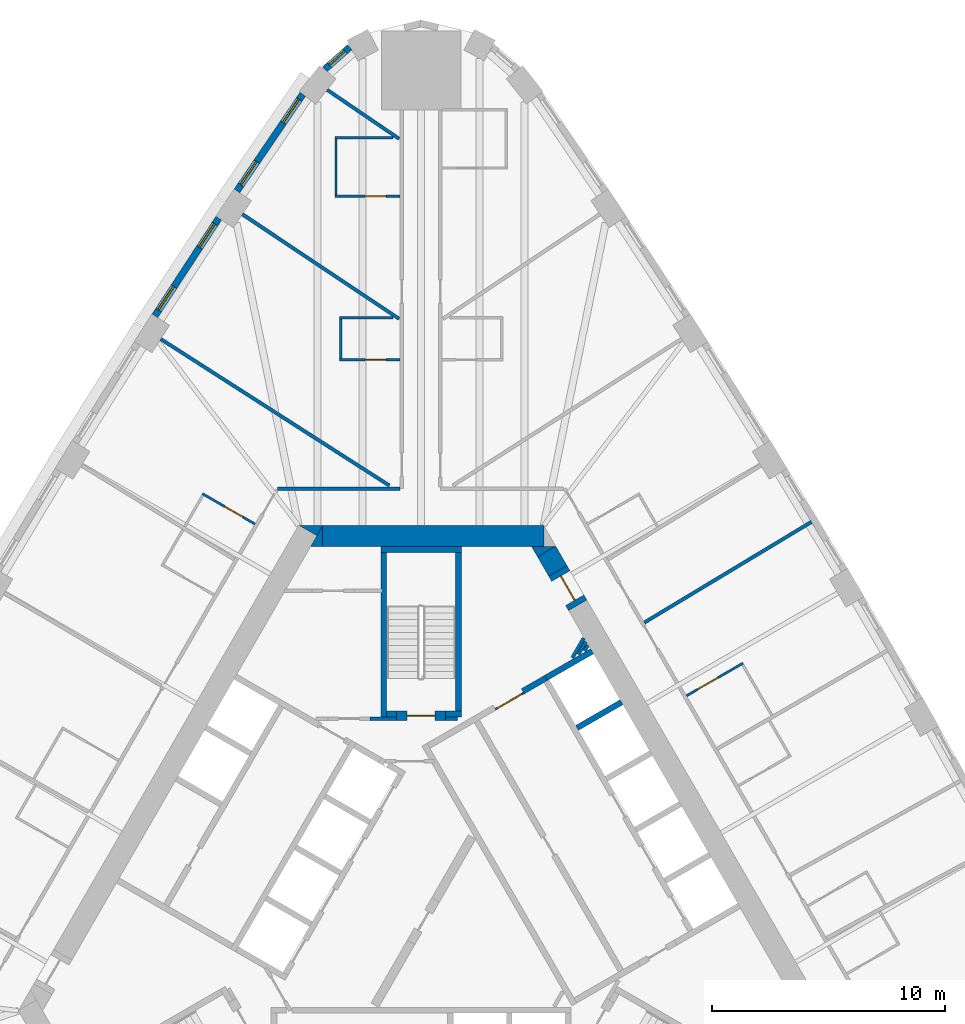
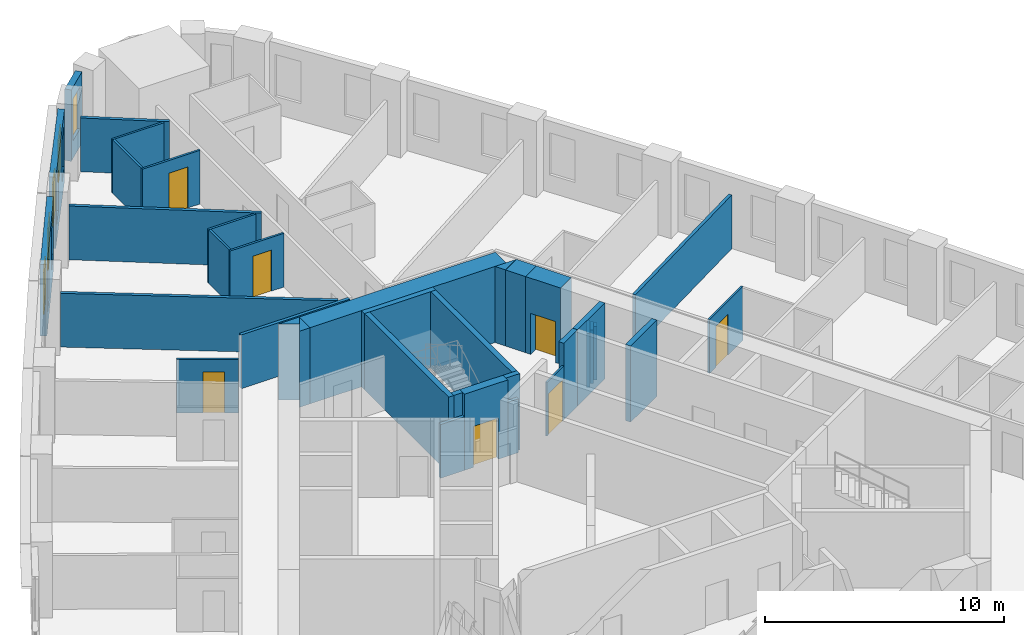
# One storey, part 10 of 13: 37 walls, 7 doors, 5 windows, 12 openings.
"""IFC4 building model written with IfcOpenShell, lengths in metres."""

from ifc_helpers import new_model, si_unit, direction, frame, frame_2d, origin, place, context, subcontext, project, spatial, polyline, rectangle, outline, extrude, material, layer, layer_set, type_object, element, fill, save


model = new_model("IFC4")

# Units and contexts
model_context = context("Model", 3, precision=1e-05, world=origin(), true_north=direction((0.0, 1.0)))
body_context = subcontext(model_context, "Body", "Model", "MODEL_VIEW")
ifc_project = project(units=[si_unit("LENGTHUNIT", "METRE"), si_unit("AREAUNIT", "SQUARE_METRE"), si_unit("VOLUMEUNIT", "CUBIC_METRE"), si_unit("PLANEANGLEUNIT", "RADIAN"), si_unit("MASSUNIT", "GRAM", prefix="KILO")], contexts=[model_context])

# Site, building, storey
site_placement = place(None, origin())
site = spatial("IfcSite", under=ifc_project, at=site_placement, CompositionType="ELEMENT")
building_placement = place(site_placement, origin())
building = spatial("IfcBuilding", under=site, at=building_placement, Name="Mestral Congress Tower", CompositionType="ELEMENT")
storey_placement = place(building_placement, frame((0.0, 0.0, 35.39990234375)))
storey = spatial("IfcBuildingStorey", under=building, at=storey_placement, Name="L07", CompositionType="ELEMENT", Elevation=35.39990234375)

# Walls
ifc_material_1 = material(Name="Fire-rated board partition")
ifc_layer_1 = layer(ifc_material_1, 0.14990234375)
ifc_layer_set_1 = layer_set([ifc_layer_1], Name="Fire-rated board partition")
wall_type_1 = type_object("IfcWallType", Name="Core partition 150", PredefinedType="PARTITIONING", material=ifc_layer_set_1)
wall_1_placement = place(storey_placement, frame((-2.1962890625, 8.62548828125, 0.0), z_axis=(0.0, 0.0, 1.0), x_axis=(1.0, 0.0, 0.0)))
element("IfcWall", 1, at=wall_1_placement, inside=storey, type_object=wall_type_1, Name="L07 core wall", PredefinedType="PARTITIONING", context=body_context, shape_type="SweptSolid", body=[
    extrude(rectangle(XDim=1.146240234375, YDim=0.14990234375, at=frame_2d((0.5732421875, 0.0))), origin(), (0.0, 0.0, 1.0), 2.75),
])
wall_2_placement = place(storey_placement, frame((1.050048828125, 8.62548828125, 0.0), z_axis=(0.0, 0.0, 1.0), x_axis=(1.0, 0.0, 0.0)))
element("IfcWall", 2, at=wall_2_placement, inside=storey, type_object=wall_type_1, Name="L07 core wall", PredefinedType="PARTITIONING", context=body_context, shape_type="SweptSolid", body=[
    extrude(rectangle(XDim=0.513916015625, YDim=0.14990234375, at=frame_2d((0.2568359375, 0.0))), origin(), (0.0, 0.0, 1.0), 2.75),
])
wall_3_placement = place(storey_placement, frame((6.481689453125, 11.224609375, 0.0), z_axis=(0.0, 0.0, 1.0), x_axis=(0.5001061818, 0.865964091014, 0.0)))
element("IfcWall", 3, at=wall_3_placement, inside=storey, type_object=wall_type_1, Name="L07 core wall", PredefinedType="PARTITIONING", context=body_context, shape_type="SweptSolid", body=[
    extrude(rectangle(XDim=0.972900390625, YDim=0.14990234375, at=frame_2d((0.486328125, 0.0))), origin(), (0.0, 0.0, 1.0), 2.75),
])
wall_4_placement = place(storey_placement, frame((6.74169921875, 11.374755859375, 0.0), z_axis=(0.0, 0.0, 1.0), x_axis=(0.499744951064, 0.86617260629, 0.0)))
element("IfcWall", 4, at=wall_4_placement, inside=storey, type_object=wall_type_1, Name="L07 core wall", PredefinedType="PARTITIONING", context=body_context, shape_type="SweptSolid", body=[
    extrude(rectangle(XDim=0.626220703125, YDim=0.14990234375, at=frame_2d((0.31298828125, 0.0))), origin(), (0.0, 0.0, 1.0), 2.75),
])
wall_5_placement = place(storey_placement, frame((7.00146484375, 11.524658203125, 0.0), z_axis=(0.0, 0.0, 1.0), x_axis=(0.499797962495, 0.866142018774, 0.0)))
element("IfcWall", 5, at=wall_5_placement, inside=storey, type_object=wall_type_1, Name="L07 core wall", PredefinedType="PARTITIONING", context=body_context, shape_type="SweptSolid", body=[
    extrude(rectangle(XDim=0.27978515625, YDim=0.14990234375, at=frame_2d((0.139892578125, 0.0))), origin(), (0.0, 0.0, 1.0), 2.75),
])

# Wall, opening, door
ifc_layer_2 = layer(ifc_material_1, 0.090087890625)
ifc_layer_set_2 = layer_set([ifc_layer_2], Name="Fire-rated board partition")
wall_type_2 = type_object("IfcWallType", Name="Core partition 150 door-wall 90", PredefinedType="PARTITIONING", material=ifc_layer_set_2)
wall_6_placement = place(storey_placement, frame((3.182861328125, 9.02001953125, 0.0), z_axis=(0.0, 0.0, 1.0), x_axis=(0.866034573852, 0.49998411664, 0.0)))
wall_6 = element("IfcWall", 6, at=wall_6_placement, inside=storey, type_object=wall_type_2, Name="L07 door wall", PredefinedType="PARTITIONING", context=body_context, shape_type="SweptSolid", body=[
    extrude(rectangle(XDim=1.39990234375, YDim=0.090087890625, at=frame_2d((0.699951171875, 0.0))), origin(), (0.0, 0.0, 1.0), 2.75),
])
opening_1_placement = place(wall_6_placement, frame((0.10009765625, 0.0, 0.0)))
opening_1 = element("IfcOpeningElement", 7, at=opening_1_placement, cuts=wall_6, Name="Opening LB1-WL2", PredefinedType="OPENING", context=body_context, shape_type="SweptSolid", body=[
    extrude(rectangle(XDim=1.199951171875, YDim=2.10009765625, at=frame_2d((0.60009765625, 1.050048828125))), frame((0.0, 0.054931640625, 0.0), z_axis=(0.0, -1.0, 0.0), x_axis=(1.0, 0.0, 0.0)), (0.0, 0.0, 1.0), 0.110107421875),
])
ifc_material_2 = material(Name="Fire-rated steel door set", Category="steel")
door_type_1 = type_object("IfcDoorType", Name="Core door LB 1200x2100", OperationType="SINGLE_SWING_LEFT", PredefinedType="DOOR", material=ifc_material_2)
door_1_placement = place(opening_1_placement, origin())
door_1 = element("IfcDoor", 8, at=door_1_placement, inside=storey, type_object=door_type_1, Name="Door LB1-WL2", OperationType="SINGLE_SWING_LEFT", OverallHeight=2.10009765625, OverallWidth=1.199951171875, PredefinedType="DOOR", context=body_context, shape_type="SweptSolid", body=[
    extrude(rectangle(XDim=1.199951171875, YDim=2.10009765625, at=frame_2d((0.60009765625, 1.050048828125))), frame((0.0, 0.02490234375, 0.0), z_axis=(0.0, -1.0, 0.0), x_axis=(1.0, 0.0, 0.0)), (0.0, 0.0, 1.0), 0.050048828125),
])
fill(opening_1, door_1)

# Walls
ifc_material_3 = material(Name="Concrete C60/75", Category="concrete")
ifc_layer_3 = layer(ifc_material_3, 0.89990234375)
ifc_layer_set_3 = layer_set([ifc_layer_3], Name="Concrete C60/75")
wall_type_3 = type_object("IfcWallType", Name="Core wall RC 900", PredefinedType="SOLIDWALL", material=ifc_layer_set_3)
placement = place(storey_placement, origin())
element("IfcWall", 9, at=placement, inside=storey, type_object=wall_type_3, Name="L07 core wall", PredefinedType="SOLIDWALL", context=body_context, shape_type="SweptSolid", body=[
    extrude(outline(polyline([(-4.214599609375, 16.89990234375), (-4.46875, 16.460205078125), (-5.230712890625, 16.89990234375), (-4.214599609375, 16.89990234375)])), origin(), (0.0, 0.0, 1.0), 3.900146484375),
])
wall_8_placement = place(storey_placement, frame((-4.224365234375, 16.449951171875, 0.0), z_axis=(0.0, 0.0, 1.0), x_axis=(1.0, 0.0, 0.0)))
element("IfcWall", 10, at=wall_8_placement, inside=storey, type_object=wall_type_3, Name="L07 core wall", PredefinedType="SOLIDWALL", context=body_context, shape_type="SweptSolid", body=[
    extrude(rectangle(XDim=9.48779296875, YDim=0.89990234375, at=frame_2d((4.743896484375, 0.0))), origin(), (0.0, 0.0, 1.0), 3.900146484375),
])
element("IfcWall", 11, at=placement, inside=storey, type_object=wall_type_3, Name="L07 core wall", PredefinedType="SOLIDWALL", context=body_context, shape_type="SweptSolid", body=[
    extrude(outline(polyline([(-4.734375, 16.0), (-4.226318359375, 16.8798828125), (-4.226318359375, 16.0), (-4.734375, 16.0)])), origin(), (0.0, 0.0, 1.0), 3.900146484375),
])
wall_10_placement = place(storey_placement, frame((5.86083984375, 14.94873046875, 0.0), z_axis=(0.0, 0.0, 1.0), x_axis=(-0.50011719232, 0.865957732194, 0.0)))
element("IfcWall", 12, at=wall_10_placement, inside=storey, type_object=wall_type_3, Name="L07 core wall", PredefinedType="SOLIDWALL", context=body_context, shape_type="SweptSolid", body=[
    extrude(rectangle(XDim=0.963623046875, YDim=0.89990234375, at=frame_2d((0.48193359375, 0.0))), origin(), (0.0, 0.0, 1.0), 3.900146484375),
])
element("IfcWall", 13, at=placement, inside=storey, type_object=wall_type_3, Name="L07 core wall", PredefinedType="SOLIDWALL", context=body_context, shape_type="SweptSolid", body=[
    extrude(outline(polyline([(4.734375, 16.0), (5.75048828125, 16.0), (4.98828125, 15.56005859375), (4.734375, 16.0)])), origin(), (0.0, 0.0, 1.0), 3.900146484375),
])

# Wall, opening, door
wall_12_placement = place(storey_placement, frame((5.86083984375, 14.948486328125, 0.0), z_axis=(0.0, 0.0, 1.0), x_axis=(0.500062241894, -0.865989465428, 0.0)))
wall_12 = element("IfcWall", 14, at=wall_12_placement, inside=storey, type_object=wall_type_3, Name="L07 door wall", PredefinedType="SOLIDWALL", context=body_context, shape_type="SweptSolid", body=[
    extrude(rectangle(XDim=1.699951171875, YDim=0.89990234375, at=frame_2d((0.85009765625, 0.0))), origin(), (0.0, 0.0, 1.0), 3.900146484375),
])
opening_2_placement = place(wall_12_placement, frame((0.25, 0.0, 0.0)))
opening_2 = element("IfcOpeningElement", 15, at=opening_2_placement, cuts=wall_12, Name="Opening XD2", PredefinedType="OPENING", context=body_context, shape_type="SweptSolid", body=[
    extrude(rectangle(XDim=1.199951171875, YDim=2.10009765625, at=frame_2d((0.60009765625, 1.050048828125))), frame((0.0, 0.4599609375, 0.0), z_axis=(0.0, -1.0, 0.0), x_axis=(1.0, 0.0, 0.0)), (0.0, 0.0, 1.0), 0.919921875),
])
door_type_2 = type_object("IfcDoorType", Name="Core door XD 1200x2100", OperationType="SINGLE_SWING_LEFT", PredefinedType="DOOR", material=ifc_material_2)
door_2_placement = place(opening_2_placement, origin())
door_2 = element("IfcDoor", 16, at=door_2_placement, inside=storey, type_object=door_type_2, Name="Door XD2", OperationType="SINGLE_SWING_LEFT", OverallHeight=2.10009765625, OverallWidth=1.199951171875, PredefinedType="DOOR", context=body_context, shape_type="SweptSolid", body=[
    extrude(rectangle(XDim=1.199951171875, YDim=2.10009765625, at=frame_2d((0.60009765625, 1.050048828125))), frame((0.0, 0.02490234375, 0.0), z_axis=(0.0, -1.0, 0.0), x_axis=(1.0, 0.0, 0.0)), (0.0, 0.0, 1.0), 0.050048828125),
])
fill(opening_2, door_2)

# Wall, opening, window
ifc_material_4 = material(Name="Precast concrete C40/50 with limestone facing", Category="masonry")
ifc_layer_4 = layer(ifc_material_4, 0.2900390625)
ifc_layer_set_4 = layer_set([ifc_layer_4], Name="Precast concrete C40/50 with limestone facing")
wall_type_4 = type_object("IfcWallType", Name="Facade stone wall 290", PredefinedType="SOLIDWALL", material=ifc_layer_set_4)
wall_13_placement = place(storey_placement, frame((-3.064453125, 37.395263671875, 0.0), z_axis=(0.0, 0.0, 1.0), x_axis=(-0.749812680302, -0.661650167731, 0.0)))
wall_13 = element("IfcWall", 17, at=wall_13_placement, inside=storey, type_object=wall_type_4, Name="Facade wall K1-3", PredefinedType="SOLIDWALL", context=body_context, shape_type="SweptSolid", body=[
    extrude(rectangle(XDim=1.4150390625, YDim=0.2900390625, at=frame_2d((0.70751953125, 0.0))), origin(), (0.0, 0.0, 1.0), 3.650146484375),
])
opening_3_placement = place(wall_13_placement, frame((0.257568359375, 0.0, 0.89990234375)))
opening_3 = element("IfcOpeningElement", 18, at=opening_3_placement, cuts=wall_13, Name="Opening W3", PredefinedType="OPENING", context=body_context, shape_type="SweptSolid", body=[
    extrude(rectangle(XDim=0.89990234375, YDim=2.14990234375, at=frame_2d((0.449951171875, 1.074951171875))), frame((0.0, 0.155029296875, 0.0), z_axis=(0.0, -1.0, 0.0), x_axis=(1.0, 0.0, 0.0)), (0.0, 0.0, 1.0), 0.31005859375),
])
ifc_material_5 = material(Name="Clear low-emissivity double glazing", Category="glass")
window_type_1 = type_object("IfcWindowType", Name="Facade punched window 900 x 2150 sill 900", PartitioningType="SINGLE_PANEL", PredefinedType="WINDOW", material=ifc_material_5)
window_1_placement = place(opening_3_placement, origin())
window_1 = element("IfcWindow", 19, at=window_1_placement, inside=storey, type_object=window_type_1, Name="Window K1-3", OverallHeight=2.14990234375, OverallWidth=0.89990234375, PartitioningType="SINGLE_PANEL", PredefinedType="WINDOW", context=body_context, shape_type="SweptSolid", body=[
    extrude(rectangle(XDim=0.89990234375, YDim=2.14990234375, at=frame_2d((0.449951171875, 1.074951171875))), frame((0.0, 0.01513671875, 0.0), z_axis=(0.0, -1.0, 0.0), x_axis=(1.0, 0.0, 0.0)), (0.0, 0.0, 1.0), 0.06005859375),
])
fill(opening_3, window_1)

# Wall, openings, windows
wall_14_placement = place(storey_placement, frame((-5.078369140625, 35.37646484375, 0.0), z_axis=(0.0, 0.0, 1.0), x_axis=(-0.562610153679, -0.826722332454, 0.0)))
wall_14 = element("IfcWall", 20, at=wall_14_placement, inside=storey, type_object=wall_type_4, Name="Facade wall F2-00", PredefinedType="SOLIDWALL", context=body_context, shape_type="SweptSolid", body=[
    extrude(rectangle(XDim=5.005615234375, YDim=0.2900390625, at=frame_2d((2.5029296875, 0.0))), origin(), (0.0, 0.0, 1.0), 3.650146484375),
])
opening_4_placement = place(wall_14_placement, frame((0.26513671875, 0.0, 0.89990234375)))
opening_4 = element("IfcOpeningElement", 21, at=opening_4_placement, cuts=wall_14, Name="Opening W1", PredefinedType="OPENING", context=body_context, shape_type="SweptSolid", body=[
    extrude(rectangle(XDim=1.199951171875, YDim=2.14990234375, at=frame_2d((0.60009765625, 1.074951171875))), frame((0.0, 0.155029296875, 0.0), z_axis=(0.0, -1.0, 0.0), x_axis=(1.0, 0.0, 0.0)), (0.0, 0.0, 1.0), 0.31005859375),
])
opening_5_placement = place(wall_14_placement, frame((3.495361328125, 0.0, 0.89990234375)))
opening_5 = element("IfcOpeningElement", 22, at=opening_5_placement, cuts=wall_14, Name="Opening W1", PredefinedType="OPENING", context=body_context, shape_type="SweptSolid", body=[
    extrude(rectangle(XDim=1.199951171875, YDim=2.14990234375, at=frame_2d((0.60009765625, 1.074951171875))), frame((0.0, 0.155029296875, 0.0), z_axis=(0.0, -1.0, 0.0), x_axis=(1.0, 0.0, 0.0)), (0.0, 0.0, 1.0), 0.31005859375),
])
window_type_2 = type_object("IfcWindowType", Name="Facade punched window 1200 x 2150 sill 900", PartitioningType="DOUBLE_PANEL_VERTICAL", PredefinedType="WINDOW", material=ifc_material_5)
window_2_placement = place(opening_4_placement, origin())
window_2 = element("IfcWindow", 23, at=window_2_placement, inside=storey, type_object=window_type_2, Name="Window F2-00a", OverallHeight=2.14990234375, OverallWidth=1.199951171875, PartitioningType="DOUBLE_PANEL_VERTICAL", PredefinedType="WINDOW", context=body_context, shape_type="SweptSolid", body=[
    extrude(rectangle(XDim=1.199951171875, YDim=2.14990234375, at=frame_2d((0.60009765625, 1.074951171875))), frame((0.0, 0.01513671875, 0.0), z_axis=(0.0, -1.0, 0.0), x_axis=(1.0, 0.0, 0.0)), (0.0, 0.0, 1.0), 0.06005859375),
])
fill(opening_4, window_2)
window_3_placement = place(opening_5_placement, origin())
window_3 = element("IfcWindow", 24, at=window_3_placement, inside=storey, type_object=window_type_2, Name="Window F2-00b", OverallHeight=2.14990234375, OverallWidth=1.199951171875, PartitioningType="DOUBLE_PANEL_VERTICAL", PredefinedType="WINDOW", context=body_context, shape_type="SweptSolid", body=[
    extrude(rectangle(XDim=1.199951171875, YDim=2.14990234375, at=frame_2d((0.60009765625, 1.074951171875))), frame((0.0, 0.01513671875, 0.0), z_axis=(0.0, -1.0, 0.0), x_axis=(1.0, 0.0, 0.0)), (0.0, 0.0, 1.0), 0.06005859375),
])
fill(opening_5, window_3)

wall_15_placement = place(storey_placement, frame((-8.675537109375, 30.067626953125, 0.0), z_axis=(0.0, 0.0, 1.0), x_axis=(-0.547204617628, -0.836998868845, 0.0)))
wall_15 = element("IfcWall", 25, at=wall_15_placement, inside=storey, type_object=wall_type_4, Name="Facade wall F2-01", PredefinedType="SOLIDWALL", context=body_context, shape_type="SweptSolid", body=[
    extrude(rectangle(XDim=4.998291015625, YDim=0.2900390625, at=frame_2d((2.4990234375, 0.0))), origin(), (0.0, 0.0, 1.0), 3.650146484375),
])
opening_6_placement = place(wall_15_placement, frame((0.297119140625, 0.0, 0.89990234375)))
opening_6 = element("IfcOpeningElement", 26, at=opening_6_placement, cuts=wall_15, Name="Opening W1", PredefinedType="OPENING", context=body_context, shape_type="SweptSolid", body=[
    extrude(rectangle(XDim=1.199951171875, YDim=2.14990234375, at=frame_2d((0.60009765625, 1.074951171875))), frame((0.0, 0.155029296875, 0.0), z_axis=(0.0, -1.0, 0.0), x_axis=(1.0, 0.0, 0.0)), (0.0, 0.0, 1.0), 0.31005859375),
])
opening_7_placement = place(wall_15_placement, frame((3.501220703125, 0.0, 0.89990234375)))
opening_7 = element("IfcOpeningElement", 27, at=opening_7_placement, cuts=wall_15, Name="Opening W1", PredefinedType="OPENING", context=body_context, shape_type="SweptSolid", body=[
    extrude(rectangle(XDim=1.199951171875, YDim=2.14990234375, at=frame_2d((0.60009765625, 1.074951171875))), frame((0.0, 0.155029296875, 0.0), z_axis=(0.0, -1.0, 0.0), x_axis=(1.0, 0.0, 0.0)), (0.0, 0.0, 1.0), 0.31005859375),
])
window_4_placement = place(opening_6_placement, origin())
window_4 = element("IfcWindow", 28, at=window_4_placement, inside=storey, type_object=window_type_2, Name="Window F2-01a", OverallHeight=2.14990234375, OverallWidth=1.199951171875, PartitioningType="DOUBLE_PANEL_VERTICAL", PredefinedType="WINDOW", context=body_context, shape_type="SweptSolid", body=[
    extrude(rectangle(XDim=1.199951171875, YDim=2.14990234375, at=frame_2d((0.60009765625, 1.074951171875))), frame((0.0, 0.01513671875, 0.0), z_axis=(0.0, -1.0, 0.0), x_axis=(1.0, 0.0, 0.0)), (0.0, 0.0, 1.0), 0.06005859375),
])
fill(opening_6, window_4)
window_5_placement = place(opening_7_placement, origin())
window_5 = element("IfcWindow", 29, at=window_5_placement, inside=storey, type_object=window_type_2, Name="Window F2-01b", OverallHeight=2.14990234375, OverallWidth=1.199951171875, PartitioningType="DOUBLE_PANEL_VERTICAL", PredefinedType="WINDOW", context=body_context, shape_type="SweptSolid", body=[
    extrude(rectangle(XDim=1.199951171875, YDim=2.14990234375, at=frame_2d((0.60009765625, 1.074951171875))), frame((0.0, 0.01513671875, 0.0), z_axis=(0.0, -1.0, 0.0), x_axis=(1.0, 0.0, 0.0)), (0.0, 0.0, 1.0), 0.06005859375),
])
fill(opening_7, window_5)

# Wall, opening, door
ifc_material_6 = material(Name="Gypsum board partition on metal studs with mineral wool", Category="composite")
ifc_layer_5 = layer(ifc_material_6, 0.10009765625)
ifc_layer_set_5 = layer_set([ifc_layer_5], Name="Gypsum board partition on metal studs with mineral wool")
wall_type_5 = type_object("IfcWallType", Name="Hotel partition wall 100", PredefinedType="PARTITIONING", material=ifc_layer_set_5)
wall_16_placement = place(storey_placement, frame((13.79931640625, 10.9990234375, 0.0), z_axis=(0.0, 0.0, 1.0), x_axis=(-0.866034573852, -0.49998411664, 0.0)))
wall_16 = element("IfcWall", 30, at=wall_16_placement, inside=storey, type_object=wall_type_5, Name="L07-h-pod16a", PredefinedType="PARTITIONING", context=body_context, shape_type="SweptSolid", body=[
    extrude(rectangle(XDim=2.7998046875, YDim=0.10009765625, at=frame_2d((1.39990234375, 0.0))), origin(), (0.0, 0.0, 1.0), 2.75),
])
opening_8_placement = place(wall_16_placement, frame((1.25, 0.0, 0.0)))
opening_8 = element("IfcOpeningElement", 31, at=opening_8_placement, cuts=wall_16, Name="Opening H01-031", PredefinedType="OPENING", context=body_context, shape_type="SweptSolid", body=[
    extrude(rectangle(XDim=1.0, YDim=2.10009765625, at=frame_2d((0.5, 1.050048828125))), frame((0.0, 0.06005859375, 0.0), z_axis=(0.0, -1.0, 0.0), x_axis=(1.0, 0.0, 0.0)), (0.0, 0.0, 1.0), 0.1201171875),
])
ifc_material_7 = material(Name="Timber veneer door leaf in timber frame", Category="wood")
door_type_3 = type_object("IfcDoorType", Name="Accessible bathroom door 1000", OperationType="SINGLE_SWING_LEFT", PredefinedType="DOOR", material=ifc_material_7)
door_3_placement = place(opening_8_placement, origin())
door_3 = element("IfcDoor", 32, at=door_3_placement, inside=storey, type_object=door_type_3, Name="L07-h-d031", OperationType="SINGLE_SWING_LEFT", OverallHeight=2.10009765625, OverallWidth=1.0, PredefinedType="DOOR", context=body_context, shape_type="SweptSolid", body=[
    extrude(rectangle(XDim=1.0, YDim=2.10009765625, at=frame_2d((0.5, 1.050048828125))), frame((0.0, 0.02490234375, 0.0), z_axis=(0.0, -1.0, 0.0), x_axis=(1.0, 0.0, 0.0)), (0.0, 0.0, 1.0), 0.050048828125),
])
fill(opening_8, door_3)

wall_17_placement = place(storey_placement, frame((-3.699951171875, 31.008544921875, 0.0), z_axis=(0.0, 0.0, 1.0), x_axis=(1.0, 0.0, 0.0)))
wall_17 = element("IfcWall", 33, at=wall_17_placement, inside=storey, type_object=wall_type_5, Name="L07-h-pod21a", PredefinedType="PARTITIONING", context=body_context, shape_type="SweptSolid", body=[
    extrude(rectangle(XDim=2.800048828125, YDim=0.10009765625, at=frame_2d((1.39990234375, 0.0))), origin(), (0.0, 0.0, 1.0), 2.75),
])
opening_9_placement = place(wall_17_placement, frame((1.300048828125, 0.0, 0.0)))
opening_9 = element("IfcOpeningElement", 34, at=opening_9_placement, cuts=wall_17, Name="Opening H01-040", PredefinedType="OPENING", context=body_context, shape_type="SweptSolid", body=[
    extrude(rectangle(XDim=0.89990234375, YDim=2.10009765625, at=frame_2d((0.449951171875, 1.050048828125))), frame((0.0, 0.06005859375, 0.0), z_axis=(0.0, -1.0, 0.0), x_axis=(1.0, 0.0, 0.0)), (0.0, 0.0, 1.0), 0.1201171875),
])
door_type_4 = type_object("IfcDoorType", Name="Bathroom door 900", OperationType="SINGLE_SWING_LEFT", PredefinedType="DOOR", material=ifc_material_7)
door_4_placement = place(opening_9_placement, origin())
door_4 = element("IfcDoor", 35, at=door_4_placement, inside=storey, type_object=door_type_4, Name="L07-h-d040", OperationType="SINGLE_SWING_RIGHT", OverallHeight=2.10009765625, OverallWidth=0.89990234375, PredefinedType="DOOR", context=body_context, shape_type="SweptSolid", body=[
    extrude(rectangle(XDim=0.89990234375, YDim=2.10009765625, at=frame_2d((0.449951171875, 1.050048828125))), frame((0.0, 0.02490234375, 0.0), z_axis=(0.0, -1.0, 0.0), x_axis=(1.0, 0.0, 0.0)), (0.0, 0.0, 1.0), 0.050048828125),
])
fill(opening_9, door_4)

# Walls
wall_18_placement = place(storey_placement, frame((-3.64990234375, 31.05859375, 0.0), z_axis=(0.0, 0.0, 1.0), x_axis=(0.0, 1.0, 0.0)))
element("IfcWall", 36, at=wall_18_placement, inside=storey, type_object=wall_type_5, Name="L07-h-pod21b", PredefinedType="PARTITIONING", context=body_context, shape_type="SweptSolid", body=[
    extrude(rectangle(XDim=2.39990234375, YDim=0.10009765625, at=frame_2d((1.199951171875, 0.0))), origin(), (0.0, 0.0, 1.0), 2.75),
])
wall_19_placement = place(storey_placement, frame((-1.199951171875, 33.508544921875, 0.0), z_axis=(0.0, 0.0, 1.0), x_axis=(-1.0, 0.0, 0.0)))
element("IfcWall", 37, at=wall_19_placement, inside=storey, type_object=wall_type_5, Name="L07-h-pod21c", PredefinedType="PARTITIONING", context=body_context, shape_type="SweptSolid", body=[
    extrude(rectangle(XDim=2.5, YDim=0.10009765625, at=frame_2d((1.25, 0.0))), origin(), (0.0, 0.0, 1.0), 2.75),
])

# Wall, opening, door
wall_20_placement = place(storey_placement, frame((-3.5, 23.99462890625, 0.0), z_axis=(0.0, 0.0, 1.0), x_axis=(1.0, 0.0, 0.0)))
wall_20 = element("IfcWall", 38, at=wall_20_placement, inside=storey, type_object=wall_type_5, Name="L07-h-pod22a", PredefinedType="PARTITIONING", context=body_context, shape_type="SweptSolid", body=[
    extrude(rectangle(XDim=2.60009765625, YDim=0.10009765625, at=frame_2d((1.300048828125, 0.0))), origin(), (0.0, 0.0, 1.0), 2.75),
])
opening_10_placement = place(wall_20_placement, frame((1.10009765625, 0.0, 0.0)))
opening_10 = element("IfcOpeningElement", 39, at=opening_10_placement, cuts=wall_20, Name="Opening H01-042", PredefinedType="OPENING", context=body_context, shape_type="SweptSolid", body=[
    extrude(rectangle(XDim=0.89990234375, YDim=2.10009765625, at=frame_2d((0.449951171875, 1.050048828125))), frame((0.0, 0.06005859375, 0.0), z_axis=(0.0, -1.0, 0.0), x_axis=(1.0, 0.0, 0.0)), (0.0, 0.0, 1.0), 0.1201171875),
])
door_5_placement = place(opening_10_placement, origin())
door_5 = element("IfcDoor", 40, at=door_5_placement, inside=storey, type_object=door_type_4, Name="L07-h-d042", OperationType="SINGLE_SWING_LEFT", OverallHeight=2.10009765625, OverallWidth=0.89990234375, PredefinedType="DOOR", context=body_context, shape_type="SweptSolid", body=[
    extrude(rectangle(XDim=0.89990234375, YDim=2.10009765625, at=frame_2d((0.449951171875, 1.050048828125))), frame((0.0, 0.02490234375, 0.0), z_axis=(0.0, -1.0, 0.0), x_axis=(1.0, 0.0, 0.0)), (0.0, 0.0, 1.0), 0.050048828125),
])
fill(opening_10, door_5)

# Walls
wall_21_placement = place(storey_placement, frame((-3.449951171875, 24.044677734375, 0.0), z_axis=(0.0, 0.0, 1.0), x_axis=(0.0, 1.0, 0.0)))
element("IfcWall", 41, at=wall_21_placement, inside=storey, type_object=wall_type_5, Name="L07-h-pod22b", PredefinedType="PARTITIONING", context=body_context, shape_type="SweptSolid", body=[
    extrude(rectangle(XDim=1.699951171875, YDim=0.10009765625, at=frame_2d((0.85009765625, 0.0))), origin(), (0.0, 0.0, 1.0), 2.75),
])
wall_22_placement = place(storey_placement, frame((-1.2099609375, 25.794677734375, 0.0), z_axis=(0.0, 0.0, 1.0), x_axis=(-1.0, 0.0, 0.0)))
element("IfcWall", 42, at=wall_22_placement, inside=storey, type_object=wall_type_5, Name="L07-h-pod22c", PredefinedType="PARTITIONING", context=body_context, shape_type="SweptSolid", body=[
    extrude(rectangle(XDim=2.2900390625, YDim=0.10009765625, at=frame_2d((1.14501953125, 0.0))), origin(), (0.0, 0.0, 1.0), 2.75),
])

# Wall, opening, door
wall_23_placement = place(storey_placement, frame((-7.123779296875, 16.961181640625, 0.0), z_axis=(0.0, 0.0, 1.0), x_axis=(-0.866021400173, 0.500006934395, 0.0)))
wall_23 = element("IfcWall", 43, at=wall_23_placement, inside=storey, type_object=wall_type_5, Name="L07-h-pod23a", PredefinedType="PARTITIONING", context=body_context, shape_type="SweptSolid", body=[
    extrude(rectangle(XDim=2.60009765625, YDim=0.10009765625, at=frame_2d((1.300048828125, 0.0))), origin(), (0.0, 0.0, 1.0), 2.75),
])
opening_11_placement = place(wall_23_placement, frame((0.60009765625, 0.0, 0.0)))
opening_11 = element("IfcOpeningElement", 44, at=opening_11_placement, cuts=wall_23, Name="Opening H01-044", PredefinedType="OPENING", context=body_context, shape_type="SweptSolid", body=[
    extrude(rectangle(XDim=0.89990234375, YDim=2.10009765625, at=frame_2d((0.449951171875, 1.050048828125))), frame((0.0, 0.06005859375, 0.0), z_axis=(0.0, -1.0, 0.0), x_axis=(1.0, 0.0, 0.0)), (0.0, 0.0, 1.0), 0.1201171875),
])
door_6_placement = place(opening_11_placement, origin())
door_6 = element("IfcDoor", 45, at=door_6_placement, inside=storey, type_object=door_type_4, Name="L07-h-d044", OperationType="SINGLE_SWING_LEFT", OverallHeight=2.10009765625, OverallWidth=0.89990234375, PredefinedType="DOOR", context=body_context, shape_type="SweptSolid", body=[
    extrude(rectangle(XDim=0.89990234375, YDim=2.10009765625, at=frame_2d((0.449951171875, 1.050048828125))), frame((0.0, 0.02490234375, 0.0), z_axis=(0.0, -1.0, 0.0), x_axis=(1.0, 0.0, 0.0)), (0.0, 0.0, 1.0), 0.050048828125),
])
fill(opening_11, door_6)

# Walls
ifc_layer_6 = layer(ifc_material_6, 0.14990234375)
ifc_layer_set_6 = layer_set([ifc_layer_6], Name="Gypsum board partition on metal studs with mineral wool")
wall_type_6 = type_object("IfcWallType", Name="Hotel partition wall 150", PredefinedType="PARTITIONING", material=ifc_layer_set_6)
wall_24_placement = place(storey_placement, frame((-6.1630859375, 18.47509765625, 0.0), z_axis=(0.0, 0.0, 1.0), x_axis=(1.0, 0.0, 0.0)))
element("IfcWall", 46, at=wall_24_placement, inside=storey, type_object=wall_type_6, Name="L07-h-cw07", PredefinedType="PARTITIONING", context=body_context, shape_type="SweptSolid", body=[
    extrude(rectangle(XDim=5.258056640625, YDim=0.14990234375, at=frame_2d((2.62890625, 0.0))), origin(), (0.0, 0.0, 1.0), 2.75),
])
wall_25_placement = place(storey_placement, frame((-11.16015625, 24.887939453125, 0.0), z_axis=(0.0, 0.0, 1.0), x_axis=(0.84199813156, -0.539480441211, 0.0)))
element("IfcWall", 47, at=wall_25_placement, inside=storey, type_object=wall_type_6, Name="L07-h-pw13", PredefinedType="PARTITIONING", context=body_context, shape_type="SweptSolid", body=[
    extrude(rectangle(XDim=11.63818359375, YDim=0.14990234375, at=frame_2d((5.819091796875, 0.0))), origin(), (0.0, 0.0, 1.0), 2.75),
])
wall_26_placement = place(storey_placement, frame((-7.662353515625, 30.237548828125, 0.0), z_axis=(0.0, 0.0, 1.0), x_axis=(0.831882886825, -0.554951225431, 0.0)))
element("IfcWall", 48, at=wall_26_placement, inside=storey, type_object=wall_type_6, Name="L07-h-pw14", PredefinedType="PARTITIONING", context=body_context, shape_type="SweptSolid", body=[
    extrude(rectangle(XDim=8.078857421875, YDim=0.14990234375, at=frame_2d((4.03955078125, 0.0))), origin(), (0.0, 0.0, 1.0), 2.75),
])
wall_27_placement = place(storey_placement, frame((-4.02783203125, 35.56884765625, 0.0), z_axis=(0.0, 0.0, 1.0), x_axis=(0.826730622998, -0.562597971021, 0.0)))
element("IfcWall", 49, at=wall_27_placement, inside=storey, type_object=wall_type_6, Name="L07-h-pw15", PredefinedType="PARTITIONING", context=body_context, shape_type="SweptSolid", body=[
    extrude(rectangle(XDim=3.7333984375, YDim=0.14990234375, at=frame_2d((1.86669921875, 0.0))), origin(), (0.0, 0.0, 1.0), 2.75),
])
wall_28_placement = place(storey_placement, frame((16.7294921875, 17.051513671875, 0.0), z_axis=(0.0, 0.0, 1.0), x_axis=(-0.856630606266, -0.515930232113, 0.0)))
element("IfcWall", 50, at=wall_28_placement, inside=storey, type_object=wall_type_6, Name="L07-h-pw21", PredefinedType="PARTITIONING", context=body_context, shape_type="SweptSolid", body=[
    extrude(rectangle(XDim=8.35546875, YDim=0.14990234375, at=frame_2d((4.177734375, 0.0))), origin(), (0.0, 0.0, 1.0), 2.75),
])
ifc_layer_7 = layer(ifc_material_3, 0.25)
ifc_layer_set_7 = layer_set([ifc_layer_7], Name="Concrete C60/75")
wall_type_7 = type_object("IfcWallType", Name="Shaft wall RC 250", PredefinedType="SOLIDWALL", material=ifc_layer_set_7)
wall_29_placement = place(storey_placement, frame((4.3583984375, 9.791015625, 0.0), z_axis=(0.0, 0.0, 1.0), x_axis=(0.866079547155, 0.499906209203, 0.0)))
element("IfcWall", 51, at=wall_29_placement, inside=storey, type_object=wall_type_7, Name="L07 core wall", PredefinedType="SOLIDWALL", context=body_context, shape_type="SweptSolid", body=[
    extrude(rectangle(XDim=1.150146484375, YDim=0.25, at=frame_2d((0.5751953125, 0.0))), origin(), (0.0, 0.0, 1.0), 3.900146484375),
])
wall_30_placement = place(storey_placement, frame((5.356201171875, 10.366943359375, 0.0), z_axis=(0.0, 0.0, 1.0), x_axis=(0.865978535641, 0.50008116922, 0.0)))
element("IfcWall", 52, at=wall_30_placement, inside=storey, type_object=wall_type_7, Name="L07 core wall", PredefinedType="SOLIDWALL", context=body_context, shape_type="SweptSolid", body=[
    extrude(rectangle(XDim=2.27783203125, YDim=0.25, at=frame_2d((1.138916015625, 0.0))), origin(), (0.0, 0.0, 1.0), 3.900146484375),
])
wall_31_placement = place(storey_placement, frame((6.68359375, 8.2236328125, 0.0), z_axis=(0.0, 0.0, 1.0), x_axis=(0.86605622881, 0.499946605688, 0.0)))
element("IfcWall", 53, at=wall_31_placement, inside=storey, type_object=wall_type_7, Name="L07 core wall", PredefinedType="SOLIDWALL", context=body_context, shape_type="SweptSolid", body=[
    extrude(rectangle(XDim=2.199951171875, YDim=0.25, at=frame_2d((1.10009765625, 0.0))), origin(), (0.0, 0.0, 1.0), 3.900146484375),
])
ifc_layer_8 = layer(ifc_material_3, 0.25)
ifc_layer_set_8 = layer_set([ifc_layer_8], Name="Concrete C60/75")
wall_type_8 = type_object("IfcWallType", Name="Stair wall RC 250", PredefinedType="SOLIDWALL", material=ifc_layer_set_8)
wall_32_placement = place(storey_placement, frame((-1.72509765625, 15.875, 0.0), z_axis=(0.0, 0.0, 1.0), x_axis=(1.0, 0.0, 0.0)))
element("IfcWall", 54, at=wall_32_placement, inside=storey, type_object=wall_type_8, Name="L07 core wall", PredefinedType="SOLIDWALL", context=body_context, shape_type="SweptSolid", body=[
    extrude(rectangle(XDim=3.4501953125, YDim=0.25, at=frame_2d((1.72509765625, 0.0))), origin(), (0.0, 0.0, 1.0), 3.900146484375),
])
wall_33_placement = place(storey_placement, frame((1.60009765625, 8.949951171875, 0.0), z_axis=(0.0, 0.0, 1.0), x_axis=(0.0, 1.0, 0.0)))
element("IfcWall", 55, at=wall_33_placement, inside=storey, type_object=wall_type_8, Name="L07 core wall", PredefinedType="SOLIDWALL", context=body_context, shape_type="SweptSolid", body=[
    extrude(rectangle(XDim=6.800048828125, YDim=0.25, at=frame_2d((3.39990234375, 0.0))), origin(), (0.0, 0.0, 1.0), 3.900146484375),
])
wall_34_placement = place(storey_placement, frame((1.050048828125, 8.824951171875, 0.0), z_axis=(0.0, 0.0, 1.0), x_axis=(1.0, 0.0, 0.0)))
element("IfcWall", 56, at=wall_34_placement, inside=storey, type_object=wall_type_8, Name="L07 core wall", PredefinedType="SOLIDWALL", context=body_context, shape_type="SweptSolid", body=[
    extrude(rectangle(XDim=0.675048828125, YDim=0.25, at=frame_2d((0.33740234375, 0.0))), origin(), (0.0, 0.0, 1.0), 3.900146484375),
])
wall_35_placement = place(storey_placement, frame((-1.60009765625, 8.699951171875, 0.0), z_axis=(0.0, 0.0, 1.0), x_axis=(0.0, 1.0, 0.0)))
element("IfcWall", 57, at=wall_35_placement, inside=storey, type_object=wall_type_8, Name="L07 core wall", PredefinedType="SOLIDWALL", context=body_context, shape_type="SweptSolid", body=[
    extrude(rectangle(XDim=7.050048828125, YDim=0.25, at=frame_2d((3.52490234375, 0.0))), origin(), (0.0, 0.0, 1.0), 3.900146484375),
])
wall_36_placement = place(storey_placement, frame((-1.47509765625, 8.824951171875, 0.0), z_axis=(0.0, 0.0, 1.0), x_axis=(1.0, 0.0, 0.0)))
element("IfcWall", 58, at=wall_36_placement, inside=storey, type_object=wall_type_8, Name="L07 core wall", PredefinedType="SOLIDWALL", context=body_context, shape_type="SweptSolid", body=[
    extrude(rectangle(XDim=0.425048828125, YDim=0.25, at=frame_2d((0.21240234375, 0.0))), origin(), (0.0, 0.0, 1.0), 3.900146484375),
])

# Wall, opening, door
ifc_layer_9 = layer(ifc_material_3, 0.39990234375)
ifc_layer_set_9 = layer_set([ifc_layer_9], Name="Concrete C60/75")
wall_type_9 = type_object("IfcWallType", Name="Stair wall RC 250 door-wall 400", PredefinedType="SOLIDWALL", material=ifc_layer_set_9)
wall_37_placement = place(storey_placement, frame((1.050048828125, 8.75, 0.0), z_axis=(0.0, 0.0, 1.0), x_axis=(-1.0, 0.0, 0.0)))
wall_37 = element("IfcWall", 59, at=wall_37_placement, inside=storey, type_object=wall_type_9, Name="L07 door wall", PredefinedType="SOLIDWALL", context=body_context, shape_type="SweptSolid", body=[
    extrude(rectangle(XDim=2.10009765625, YDim=0.39990234375, at=frame_2d((1.050048828125, 0.0))), origin(), (0.0, 0.0, 1.0), 3.900146484375),
])
opening_12_placement = place(wall_37_placement, frame((0.449951171875, 0.0, 0.0)))
opening_12 = element("IfcOpeningElement", 60, at=opening_12_placement, cuts=wall_37, Name="Opening ST-D2", PredefinedType="OPENING", context=body_context, shape_type="SweptSolid", body=[
    extrude(rectangle(XDim=1.199951171875, YDim=2.10009765625, at=frame_2d((0.60009765625, 1.050048828125))), frame((0.0, 0.2099609375, 0.0), z_axis=(0.0, -1.0, 0.0), x_axis=(1.0, 0.0, 0.0)), (0.0, 0.0, 1.0), 0.419921875),
])
door_type_5 = type_object("IfcDoorType", Name="Core door ST 1200x2100", OperationType="SINGLE_SWING_LEFT", PredefinedType="DOOR", material=ifc_material_2)
door_7_placement = place(opening_12_placement, origin())
door_7 = element("IfcDoor", 61, at=door_7_placement, inside=storey, type_object=door_type_5, Name="Door ST-D2", OperationType="SINGLE_SWING_LEFT", OverallHeight=2.10009765625, OverallWidth=1.199951171875, PredefinedType="DOOR", context=body_context, shape_type="SweptSolid", body=[
    extrude(rectangle(XDim=1.199951171875, YDim=2.10009765625, at=frame_2d((0.60009765625, 1.050048828125))), frame((0.0, 0.02490234375, 0.0), z_axis=(0.0, -1.0, 0.0), x_axis=(1.0, 0.0, 0.0)), (0.0, 0.0, 1.0), 0.050048828125),
])
fill(opening_12, door_7)

save(model, "model.ifc")
